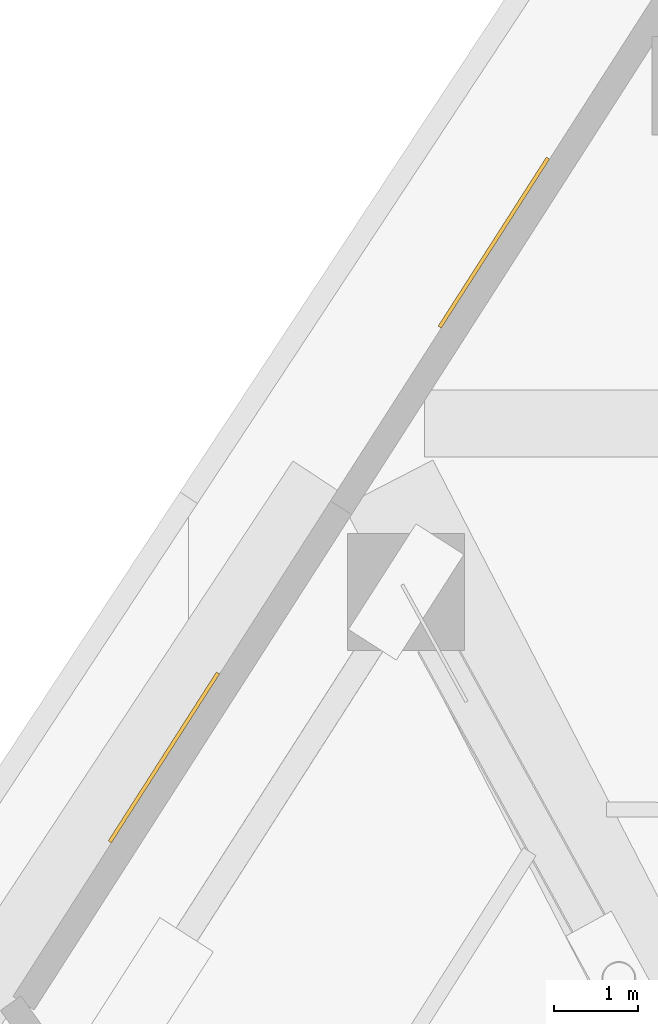
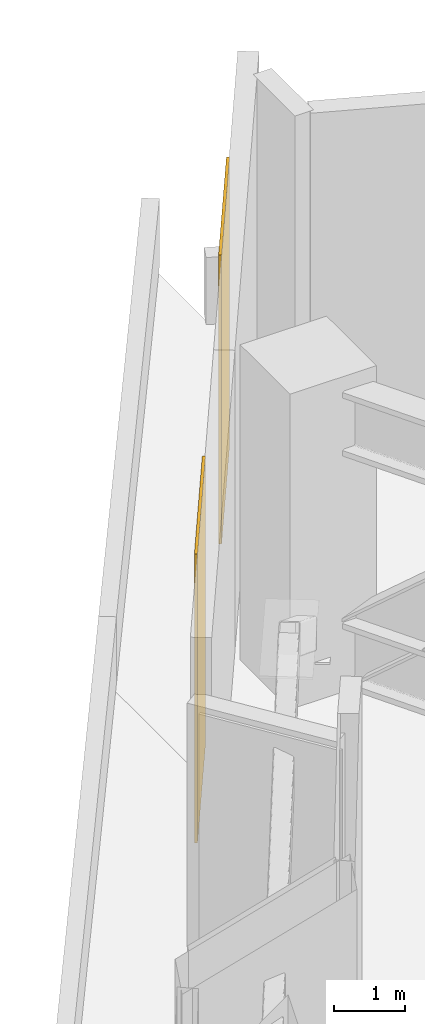
# One storey, part 12 of 12: 2 coverings.
"""IFC4 building model written with IfcOpenShell, lengths in metres."""

from ifc_helpers import new_model, si_unit, direction, frame, origin, origin_2d, place, context, subcontext, project, spatial, rectangle, extrude, material, layer, layer_set, type_object, element, save


model = new_model("IFC4")

# Units and contexts
model_context = context("Model", 3, precision=1e-05, world=origin(), true_north=direction((0.0, 1.0)))
body_context = subcontext(model_context, "Body", "Model", "MODEL_VIEW")
ifc_project = project(units=[si_unit("LENGTHUNIT", "METRE"), si_unit("AREAUNIT", "SQUARE_METRE"), si_unit("VOLUMEUNIT", "CUBIC_METRE"), si_unit("PLANEANGLEUNIT", "RADIAN"), si_unit("MASSUNIT", "GRAM", prefix="KILO")], contexts=[model_context])

# Site, building, storey
site_placement = place(None, origin())
site = spatial("IfcSite", under=ifc_project, at=site_placement, CompositionType="ELEMENT")
building_placement = place(site_placement, origin())
building = spatial("IfcBuilding", under=site, at=building_placement, Name="Almagre Mirador Tower", CompositionType="ELEMENT")
storey_placement = place(building_placement, frame((0.0, 0.0, 26.39990234375)))
storey = spatial("IfcBuildingStorey", under=building, at=storey_placement, Name="L05", CompositionType="ELEMENT", Elevation=26.39990234375)

# Coverings
ifc_material = material(Name="Almagre terracotta architectural cladding", Category="masonry")
ifc_layer = layer(ifc_material, 0.044921875)
ifc_layer_set = layer_set([ifc_layer], Name="Almagre terracotta architectural cladding")
covering_type = type_object("IfcCoveringType", Name="COV-CLAD-ALMAGRE", PredefinedType="CLADDING", material=ifc_layer_set)
for number, where, z_axis, x_axis, name in (
    (1, (27.203857421875, 37.393798828125, 0.10009765625), (0.0, 0.0, 1.0), (0.539535148555, 0.841963077263, 0.0), "L05 almagre terracotta pier cladding"),
    (2, (31.15087890625, 43.55322265625, 0.10009765625), (0.0, 0.0, 1.0), (0.539535148555, 0.841963077263, 0.0), "L05 almagre terracotta pier cladding"),
):
    element("IfcCovering", number, at=place(storey_placement, frame(where, z_axis=z_axis, x_axis=x_axis)), inside=storey, type_object=covering_type, Name=name, PredefinedType="CLADDING", context=body_context, shape_type="SweptSolid", body=[
        extrude(rectangle(XDim=2.39990234375, YDim=0.044921875, at=origin_2d()), origin(), (0.0, 0.0, 1.0), 4.949951171875),
    ])

save(model, "model.ifc")
